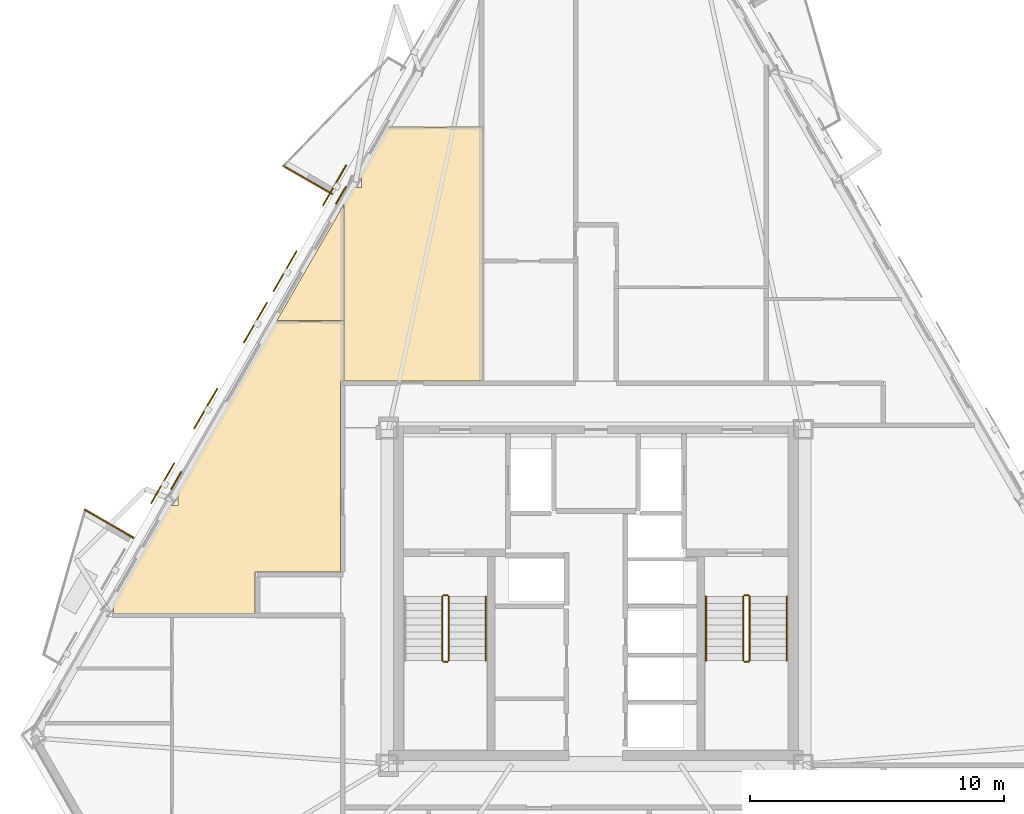
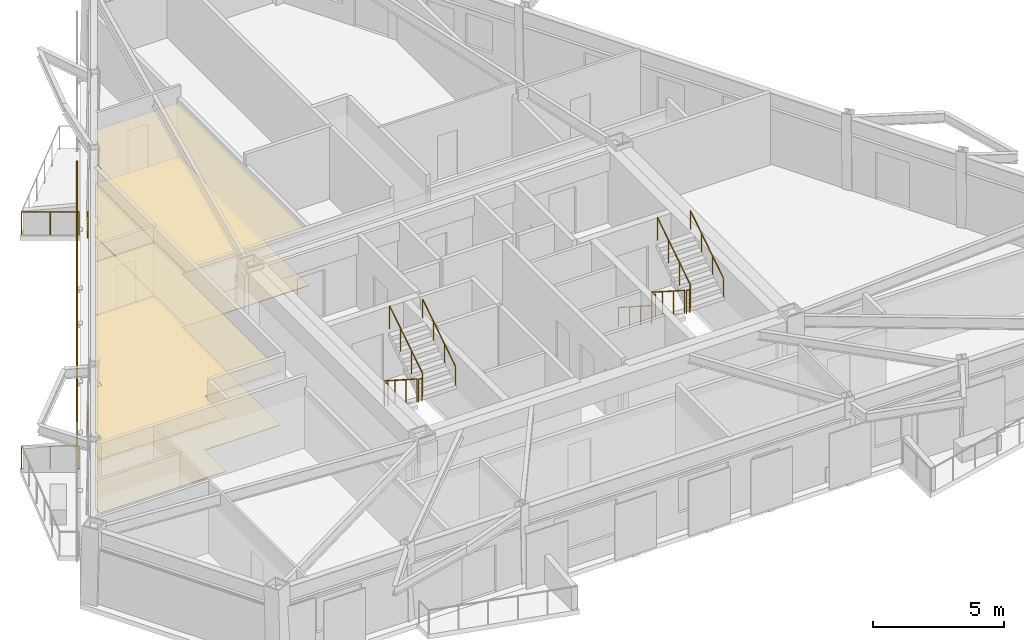
# One storey, part 8 of 9: 13 railings, 8 coverings, 5 shading devices.
"""IFC4 building model written with IfcOpenShell, lengths in metres."""

from ifc_helpers import new_model, si_unit, direction, frame, origin, origin_2d, place, context, subcontext, project, spatial, polyline, rectangle, circle, outline, extrude, material, layer, layer_set, type_object, element, save


model = new_model("IFC4")

# Units and contexts
model_context = context("Model", 3, precision=1e-05, world=origin(), true_north=direction((0.0, 1.0)))
body_context = subcontext(model_context, "Body", "Model", "MODEL_VIEW")
ifc_project = project(units=[si_unit("LENGTHUNIT", "METRE"), si_unit("AREAUNIT", "SQUARE_METRE"), si_unit("VOLUMEUNIT", "CUBIC_METRE"), si_unit("PLANEANGLEUNIT", "RADIAN"), si_unit("MASSUNIT", "GRAM", prefix="KILO")], contexts=[model_context])

# Site, building, storey
site_placement = place(None, origin())
site = spatial("IfcSite", under=ifc_project, at=site_placement, CompositionType="ELEMENT")
building_placement = place(site_placement, origin())
building = spatial("IfcBuilding", under=site, at=building_placement, Name="Oramaril Tower", CompositionType="ELEMENT")
storey_placement = place(building_placement, frame((0.0, 0.0, 178.199951171875)))
storey = spatial("IfcBuildingStorey", under=building, at=storey_placement, Name="L47", CompositionType="ELEMENT", Elevation=178.199951171875)

# Coverings
ifc_material_1 = material(Name="Mineral Fibre Acoustic Ceiling")
ifc_layer_1 = layer(ifc_material_1, 0.02001953125)
ifc_layer_set_1 = layer_set([ifc_layer_1], Name="CVT-CEIL")
covering_type_1 = type_object("IfcCoveringType", Name="CVT-CEIL", PredefinedType="CEILING", material=ifc_layer_set_1)
covering_1_placement = place(storey_placement, frame((0.0, 0.0, 2.511962890625)))
element("IfcCovering", 1, at=covering_1_placement, inside=storey, type_object=covering_type_1, Name="L47 Acoustic Suspended Ceiling 14", PredefinedType="CEILING", context=body_context, shape_type="SweptSolid", body=[
    extrude(outline(polyline([(18.538330078125, 17.293212890625), (18.518310546875, 17.293212890625), (20.75732421875, 21.17138671875), (21.062255859375, 21.17138671875), (21.062255859375, 21.656982421875), (21.037841796875, 21.656982421875), (24.938720703125, 28.413818359375), (27.592041015625, 28.413818359375), (27.592041015625, 26.070068359375), (27.469970703125, 26.070068359375), (27.468017578125, 26.06982421875), (27.466064453125, 26.069580078125), (27.464111328125, 26.069091796875), (27.46240234375, 26.068603515625), (27.460693359375, 26.067626953125), (27.458984375, 26.066650390625), (27.457275390625, 26.0654296875), (27.455810546875, 26.064208984375), (27.45458984375, 26.062744140625), (27.453369140625, 26.06103515625), (27.452392578125, 26.059326171875), (27.451416015625, 26.0576171875), (27.450927734375, 26.055908203125), (27.450439453125, 26.053955078125), (27.4501953125, 26.052001953125), (27.449951171875, 26.050048828125), (27.449951171875, 24.239990234375), (27.4501953125, 24.238037109375), (27.450439453125, 24.236083984375), (27.450927734375, 24.234130859375), (27.451416015625, 24.232421875), (27.452392578125, 24.230712890625), (27.45263671875, 24.22998046875), (27.452392578125, 24.2294921875), (27.451416015625, 24.227783203125), (27.450927734375, 24.225830078125), (27.450439453125, 24.223876953125), (27.4501953125, 24.221923828125), (27.449951171875, 24.219970703125), (27.449951171875, 18.550048828125), (24.1201171875, 18.550048828125), (24.117919921875, 18.5498046875), (24.1162109375, 18.549560546875), (24.1142578125, 18.549072265625), (24.1123046875, 18.548583984375), (24.110595703125, 18.547607421875), (24.10888671875, 18.546630859375), (24.107421875, 18.54541015625), (24.10595703125, 18.544189453125), (24.1044921875, 18.542724609375), (24.103515625, 18.541015625), (24.102294921875, 18.539306640625), (24.1015625, 18.53759765625), (24.100830078125, 18.535888671875), (24.100341796875, 18.533935546875), (24.10009765625, 18.531982421875), (24.10009765625, 18.530029296875), (24.10009765625, 16.912109375), (20.7939453125, 16.912109375), (20.7919921875, 16.911865234375), (20.7900390625, 16.91162109375), (20.7880859375, 16.9111328125), (20.786376953125, 16.910400390625), (20.78466796875, 16.90966796875), (20.783935546875, 16.9091796875), (20.783447265625, 16.90966796875), (20.78173828125, 16.910400390625), (20.77978515625, 16.9111328125), (20.77783203125, 16.91162109375), (20.77587890625, 16.911865234375), (20.77392578125, 16.912109375), (18.538330078125, 16.912109375), (18.538330078125, 17.293212890625)])), origin(), (0.0, 0.0, 1.0), 0.02001953125),
])
covering_2_placement = place(storey_placement, frame((0.0, 0.0, 2.511962890625)))
element("IfcCovering", 2, at=covering_2_placement, inside=storey, type_object=covering_type_1, Name="L47 Acoustic Suspended Ceiling 15", PredefinedType="CEILING", context=body_context, shape_type="SweptSolid", body=[
    extrude(outline(polyline([(27.592041015625, 33.00927734375), (27.592041015625, 28.433837890625), (24.950439453125, 28.433837890625), (27.592041015625, 33.00927734375)])), origin(), (0.0, 0.0, 1.0), 0.02001953125),
])
covering_3_placement = place(storey_placement, frame((0.0, 0.0, 2.511962890625)))
element("IfcCovering", 3, at=covering_3_placement, inside=storey, type_object=covering_type_1, Name="L47 Acoustic Suspended Ceiling 16", PredefinedType="CEILING", context=body_context, shape_type="SweptSolid", body=[
    extrude(outline(polyline([(28.27294921875, 33.660888671875), (28.27294921875, 34.125), (28.236083984375, 34.125), (29.343994140625, 36.0439453125), (33.0419921875, 36.0439453125), (33.0419921875, 26.070068359375), (27.612060546875, 26.070068359375), (27.612060546875, 28.413818359375), (27.61181640625, 28.415771484375), (27.611572265625, 28.417724609375), (27.611083984375, 28.419677734375), (27.610595703125, 28.42138671875), (27.609619140625, 28.423095703125), (27.609375, 28.423828125), (27.609619140625, 28.42431640625), (27.610595703125, 28.426025390625), (27.611083984375, 28.427978515625), (27.611572265625, 28.429931640625), (27.61181640625, 28.431884765625), (27.612060546875, 28.433837890625), (27.612060546875, 33.00927734375), (27.61181640625, 33.01123046875), (27.611572265625, 33.01318359375), (27.611083984375, 33.014892578125), (27.610595703125, 33.016845703125), (27.609619140625, 33.0185546875), (27.608642578125, 33.020263671875), (27.607666015625, 33.021728515625), (27.606201171875, 33.023193359375), (27.60498046875, 33.024658203125), (27.603271484375, 33.02587890625), (27.60205078125, 33.026611328125), (27.96826171875, 33.660888671875), (28.27294921875, 33.660888671875)])), origin(), (0.0, 0.0, 1.0), 0.02001953125),
])
ifc_material_2 = material(Name="Warm Cream Limestone", Category="masonry")
ifc_layer_2 = layer(ifc_material_2, 0.050048828125)
ifc_layer_set_2 = layer_set([ifc_layer_2], Name="CVT-CLD")
covering_type_2 = type_object("IfcCoveringType", Name="CVT-CLD", PredefinedType="CLADDING", material=ifc_layer_set_2)
for number, where, z_axis, x_axis, name in (
    (4, (27.4794921875, 33.3662109375, 0.0400390625), (0.0, 0.0, 1.0), (-0.5, -0.866025403784, 0.0), "L47 Warm Cream Limestone Spandrel Cladding"),
    (5, (21.000732421875, 22.14501953125, 0.0400390625), (0.0, 0.0, 1.0), (-0.5, -0.866025403784, 0.0), "L47 Warm Cream Limestone Spandrel Cladding"),
):
    element("IfcCovering", number, at=place(storey_placement, frame(where, z_axis=z_axis, x_axis=x_axis)), inside=storey, type_object=covering_type_2, Name=name, PredefinedType="CLADDING", context=body_context, shape_type="SweptSolid", body=[
        extrude(rectangle(XDim=0.800048828125, YDim=0.050048828125, at=origin_2d()), origin(), (0.0, 0.0, 1.0), 0.679931640625),
    ])
ifc_material_3 = material(Name="Honed Quartzite Stone Flooring", Category="masonry")
ifc_layer_3 = layer(ifc_material_3, 0.02490234375)
ifc_layer_set_3 = layer_set([ifc_layer_3], Name="CVT-FLR")
covering_type_3 = type_object("IfcCoveringType", Name="CVT-FLR", PredefinedType="FLOORING", material=ifc_layer_set_3)
covering_4_placement = place(storey_placement, origin())
element("IfcCovering", 6, at=covering_4_placement, inside=storey, type_object=covering_type_3, Name="L47 Honed Stone Floor Finish 14", PredefinedType="FLOORING", context=body_context, shape_type="SweptSolid", body=[
    extrude(outline(polyline([(18.538330078125, 17.293212890625), (18.518310546875, 17.293212890625), (20.75732421875, 21.17138671875), (21.062255859375, 21.17138671875), (21.062255859375, 21.656982421875), (21.037841796875, 21.656982421875), (24.938720703125, 28.413818359375), (27.592041015625, 28.413818359375), (27.592041015625, 26.070068359375), (27.469970703125, 26.070068359375), (27.468017578125, 26.06982421875), (27.466064453125, 26.069580078125), (27.464111328125, 26.069091796875), (27.46240234375, 26.068603515625), (27.460693359375, 26.067626953125), (27.458984375, 26.066650390625), (27.457275390625, 26.0654296875), (27.455810546875, 26.064208984375), (27.45458984375, 26.062744140625), (27.453369140625, 26.06103515625), (27.452392578125, 26.059326171875), (27.451416015625, 26.0576171875), (27.450927734375, 26.055908203125), (27.450439453125, 26.053955078125), (27.4501953125, 26.052001953125), (27.449951171875, 26.050048828125), (27.449951171875, 24.239990234375), (27.4501953125, 24.238037109375), (27.450439453125, 24.236083984375), (27.450927734375, 24.234130859375), (27.451416015625, 24.232421875), (27.452392578125, 24.230712890625), (27.45263671875, 24.22998046875), (27.452392578125, 24.2294921875), (27.451416015625, 24.227783203125), (27.450927734375, 24.225830078125), (27.450439453125, 24.223876953125), (27.4501953125, 24.221923828125), (27.449951171875, 24.219970703125), (27.449951171875, 18.550048828125), (24.1201171875, 18.550048828125), (24.117919921875, 18.5498046875), (24.1162109375, 18.549560546875), (24.1142578125, 18.549072265625), (24.1123046875, 18.548583984375), (24.110595703125, 18.547607421875), (24.10888671875, 18.546630859375), (24.107421875, 18.54541015625), (24.10595703125, 18.544189453125), (24.1044921875, 18.542724609375), (24.103515625, 18.541015625), (24.102294921875, 18.539306640625), (24.1015625, 18.53759765625), (24.100830078125, 18.535888671875), (24.100341796875, 18.533935546875), (24.10009765625, 18.531982421875), (24.10009765625, 18.530029296875), (24.10009765625, 16.912109375), (20.7939453125, 16.912109375), (20.7919921875, 16.911865234375), (20.7900390625, 16.91162109375), (20.7880859375, 16.9111328125), (20.786376953125, 16.910400390625), (20.78466796875, 16.90966796875), (20.783935546875, 16.9091796875), (20.783447265625, 16.90966796875), (20.78173828125, 16.910400390625), (20.77978515625, 16.9111328125), (20.77783203125, 16.91162109375), (20.77587890625, 16.911865234375), (20.77392578125, 16.912109375), (18.538330078125, 16.912109375), (18.538330078125, 17.293212890625)])), origin(), (0.0, 0.0, 1.0), 0.025146484375),
])
covering_5_placement = place(storey_placement, origin())
element("IfcCovering", 7, at=covering_5_placement, inside=storey, type_object=covering_type_3, Name="L47 Honed Stone Floor Finish 15", PredefinedType="FLOORING", context=body_context, shape_type="SweptSolid", body=[
    extrude(outline(polyline([(27.592041015625, 33.00927734375), (27.592041015625, 28.433837890625), (24.950439453125, 28.433837890625), (27.592041015625, 33.00927734375)])), origin(), (0.0, 0.0, 1.0), 0.025146484375),
])
covering_6_placement = place(storey_placement, origin())
element("IfcCovering", 8, at=covering_6_placement, inside=storey, type_object=covering_type_3, Name="L47 Honed Stone Floor Finish 16", PredefinedType="FLOORING", context=body_context, shape_type="SweptSolid", body=[
    extrude(outline(polyline([(28.27294921875, 33.660888671875), (28.27294921875, 34.125), (28.236083984375, 34.125), (29.343994140625, 36.0439453125), (33.0419921875, 36.0439453125), (33.0419921875, 26.070068359375), (27.612060546875, 26.070068359375), (27.612060546875, 28.413818359375), (27.61181640625, 28.415771484375), (27.611572265625, 28.417724609375), (27.611083984375, 28.419677734375), (27.610595703125, 28.42138671875), (27.609619140625, 28.423095703125), (27.609375, 28.423828125), (27.609619140625, 28.42431640625), (27.610595703125, 28.426025390625), (27.611083984375, 28.427978515625), (27.611572265625, 28.429931640625), (27.61181640625, 28.431884765625), (27.612060546875, 28.433837890625), (27.612060546875, 33.00927734375), (27.61181640625, 33.01123046875), (27.611572265625, 33.01318359375), (27.611083984375, 33.014892578125), (27.610595703125, 33.016845703125), (27.609619140625, 33.0185546875), (27.608642578125, 33.020263671875), (27.607666015625, 33.021728515625), (27.606201171875, 33.023193359375), (27.60498046875, 33.024658203125), (27.603271484375, 33.02587890625), (27.60205078125, 33.026611328125), (27.96826171875, 33.660888671875), (28.27294921875, 33.660888671875)])), origin(), (0.0, 0.0, 1.0), 0.025146484375),
])

# Railings
ifc_material_4 = material(Name="Stainless Steel 316L", Category="steel")
railing_type_1 = type_object("IfcRailingType", Name="RLT-GRD", PredefinedType="GUARDRAIL", material=ifc_material_4)
railing_1_placement = place(storey_placement, frame((27.118896484375, 33.421875, 0.0)))
element("IfcRailing", 9, at=railing_1_placement, inside=storey, type_object=railing_type_1, Name="L47 Balcony Guardrail L47-BAL-NW1.1", PredefinedType="GUARDRAIL", context=body_context, shape_type="SweptSolid", body=[
    extrude(circle(Radius=0.02392578125, at=origin_2d()), frame((0.0, 0.0, 1.076171875), z_axis=(-0.866020500697, 0.5000084923, 0.0), x_axis=(-0.5000084923, -0.866020500697, 0.0)), (0.0, 0.0, 1.0), 2.19189453125),
    extrude(circle(Radius=0.02099609375, at=origin_2d()), origin(), (0.0, 0.0, 1.0), 1.052001953125),
    extrude(circle(Radius=0.02099609375, at=origin_2d()), frame((-0.94921875, 0.5478515625, 0.0)), (0.0, 0.0, 1.0), 1.052001953125),
    extrude(circle(Radius=0.02099609375, at=origin_2d()), frame((-1.898193359375, 1.095947265625, 0.0)), (0.0, 0.0, 1.0), 1.052001953125),
])
railing_2_placement = place(storey_placement, frame((17.41162109375, 20.9921875, 0.0)))
element("IfcRailing", 10, at=railing_2_placement, inside=storey, type_object=railing_type_1, Name="L47 Balcony Guardrail L47-BAL-NW2.3", PredefinedType="GUARDRAIL", context=body_context, shape_type="SweptSolid", body=[
    extrude(circle(Radius=0.02392578125, at=origin_2d()), frame((0.0, 0.0, 1.076171875), z_axis=(0.865972267571, -0.50009202333, 0.0), x_axis=(0.50009202333, 0.865972267571, 0.0)), (0.0, 0.0, 1.0), 2.19189453125),
    extrude(circle(Radius=0.02099609375, at=origin_2d()), origin(), (0.0, 0.0, 1.0), 1.052001953125),
    extrude(circle(Radius=0.02099609375, at=origin_2d()), frame((0.94921875, -0.548095703125, 0.0)), (0.0, 0.0, 1.0), 1.052001953125),
    extrude(circle(Radius=0.02099609375, at=origin_2d()), frame((1.898193359375, -1.09619140625, 0.0)), (0.0, 0.0, 1.0), 1.052001953125),
])
railing_3_placement = place(storey_placement, frame((31.4599609375, 17.590087890625, 0.179931640625)))
element("IfcRailing", 11, at=railing_3_placement, inside=storey, type_object=railing_type_1, Name="L47 ST-1 stair guard 1", PredefinedType="GUARDRAIL", context=body_context, shape_type="SweptSolid", body=[
    extrude(circle(Radius=0.02392578125, at=origin_2d()), frame((0.0, 0.0, 1.076171875), z_axis=(0.0, -0.841162588446, 0.540782303519), x_axis=(1.0, 0.0, 0.0)), (0.0, 0.0, 1.0), 2.995849609375),
    extrude(circle(Radius=0.02099609375, at=origin_2d()), origin(), (0.0, 0.0, 1.0), 1.052001953125),
    extrude(circle(Radius=0.02099609375, at=origin_2d()), frame((0.0, -0.840087890625, 0.5400390625)), (0.0, 0.0, 1.0), 1.052001953125),
    extrude(circle(Radius=0.02099609375, at=origin_2d()), frame((0.0, -1.679931640625, 1.080078125)), (0.0, 0.0, 1.0), 1.052001953125),
    extrude(circle(Radius=0.02099609375, at=origin_2d()), frame((0.0, -2.52001953125, 1.6201171875)), (0.0, 0.0, 1.0), 1.052001953125),
])
railing_4_placement = place(storey_placement, frame((31.510009765625, 15.02001953125, 1.800048828125)))
element("IfcRailing", 12, at=railing_4_placement, inside=storey, type_object=railing_type_1, Name="L47 ST-1 stair guard 2", PredefinedType="GUARDRAIL", context=body_context, shape_type="SweptSolid", body=[
    extrude(circle(Radius=0.02392578125, at=origin_2d()), frame((0.0, 0.0, 1.076171875), z_axis=(1.0, 0.0, 0.0), x_axis=(0.0, 1.0, 0.0)), (0.0, 0.0, 1.0), 0.14990234375),
    extrude(circle(Radius=0.02099609375, at=origin_2d()), origin(), (0.0, 0.0, 1.0), 1.052001953125),
    extrude(circle(Radius=0.02099609375, at=origin_2d()), frame((0.14990234375, 0.0, 0.0)), (0.0, 0.0, 1.0), 1.052001953125),
])
railing_5_placement = place(storey_placement, frame((31.7099609375, 15.070068359375, 1.97998046875)))
element("IfcRailing", 13, at=railing_5_placement, inside=storey, type_object=railing_type_1, Name="L47 ST-1 stair guard 3", PredefinedType="GUARDRAIL", context=body_context, shape_type="SweptSolid", body=[
    extrude(circle(Radius=0.02392578125, at=origin_2d()), frame((0.0, 0.0, 1.076171875), z_axis=(0.0, 0.841162588446, 0.540782303519), x_axis=(-1.0, 0.0, 0.0)), (0.0, 0.0, 1.0), 2.995849609375),
    extrude(circle(Radius=0.02099609375, at=origin_2d()), origin(), (0.0, 0.0, 1.0), 1.052001953125),
    extrude(circle(Radius=0.02099609375, at=origin_2d()), frame((0.0, 0.840087890625, 0.5400390625)), (0.0, 0.0, 1.0), 1.052001953125),
    extrude(circle(Radius=0.02099609375, at=origin_2d()), frame((0.0, 1.679931640625, 1.080078125)), (0.0, 0.0, 1.0), 1.052001953125),
    extrude(circle(Radius=0.02099609375, at=origin_2d()), frame((0.0, 2.52001953125, 1.6201171875)), (0.0, 0.0, 1.0), 1.052001953125),
])
railing_6_placement = place(storey_placement, frame((31.510009765625, 17.639892578125, 0.0)))
element("IfcRailing", 14, at=railing_6_placement, inside=storey, type_object=railing_type_1, Name="L47 ST-1 stair guard 4", PredefinedType="GUARDRAIL", context=body_context, shape_type="SweptSolid", body=[
    extrude(circle(Radius=0.02392578125, at=origin_2d()), frame((0.0, 0.0, 1.076171875), z_axis=(1.0, 0.0, 0.0), x_axis=(0.0, 1.0, 0.0)), (0.0, 0.0, 1.0), 0.14990234375),
    extrude(circle(Radius=0.02099609375, at=origin_2d()), origin(), (0.0, 0.0, 1.0), 1.052001953125),
    extrude(circle(Radius=0.02099609375, at=origin_2d()), frame((0.14990234375, 0.0, 0.0)), (0.0, 0.0, 1.0), 1.052001953125),
])
railing_7_placement = place(storey_placement, frame((43.2900390625, 17.590087890625, 0.179931640625)))
element("IfcRailing", 15, at=railing_7_placement, inside=storey, type_object=railing_type_1, Name="L47 ST-2 stair guard 1", PredefinedType="GUARDRAIL", context=body_context, shape_type="SweptSolid", body=[
    extrude(circle(Radius=0.02392578125, at=origin_2d()), frame((0.0, 0.0, 1.076171875), z_axis=(0.0, -0.841162588446, 0.540782303519), x_axis=(1.0, 0.0, 0.0)), (0.0, 0.0, 1.0), 2.995849609375),
    extrude(circle(Radius=0.02099609375, at=origin_2d()), origin(), (0.0, 0.0, 1.0), 1.052001953125),
    extrude(circle(Radius=0.02099609375, at=origin_2d()), frame((0.0, -0.840087890625, 0.5400390625)), (0.0, 0.0, 1.0), 1.052001953125),
    extrude(circle(Radius=0.02099609375, at=origin_2d()), frame((0.0, -1.679931640625, 1.080078125)), (0.0, 0.0, 1.0), 1.052001953125),
    extrude(circle(Radius=0.02099609375, at=origin_2d()), frame((0.0, -2.52001953125, 1.6201171875)), (0.0, 0.0, 1.0), 1.052001953125),
])
railing_8_placement = place(storey_placement, frame((43.340087890625, 15.02001953125, 1.800048828125)))
element("IfcRailing", 16, at=railing_8_placement, inside=storey, type_object=railing_type_1, Name="L47 ST-2 stair guard 2", PredefinedType="GUARDRAIL", context=body_context, shape_type="SweptSolid", body=[
    extrude(circle(Radius=0.02392578125, at=origin_2d()), frame((0.0, 0.0, 1.076171875), z_axis=(1.0, 0.0, 0.0), x_axis=(0.0, 1.0, 0.0)), (0.0, 0.0, 1.0), 0.14990234375),
    extrude(circle(Radius=0.02099609375, at=origin_2d()), origin(), (0.0, 0.0, 1.0), 1.052001953125),
    extrude(circle(Radius=0.02099609375, at=origin_2d()), frame((0.14990234375, 0.0, 0.0)), (0.0, 0.0, 1.0), 1.052001953125),
])
railing_9_placement = place(storey_placement, frame((43.5400390625, 15.070068359375, 1.97998046875)))
element("IfcRailing", 17, at=railing_9_placement, inside=storey, type_object=railing_type_1, Name="L47 ST-2 stair guard 3", PredefinedType="GUARDRAIL", context=body_context, shape_type="SweptSolid", body=[
    extrude(circle(Radius=0.02392578125, at=origin_2d()), frame((0.0, 0.0, 1.076171875), z_axis=(0.0, 0.841162588446, 0.540782303519), x_axis=(-1.0, 0.0, 0.0)), (0.0, 0.0, 1.0), 2.995849609375),
    extrude(circle(Radius=0.02099609375, at=origin_2d()), origin(), (0.0, 0.0, 1.0), 1.052001953125),
    extrude(circle(Radius=0.02099609375, at=origin_2d()), frame((0.0, 0.840087890625, 0.5400390625)), (0.0, 0.0, 1.0), 1.052001953125),
    extrude(circle(Radius=0.02099609375, at=origin_2d()), frame((0.0, 1.679931640625, 1.080078125)), (0.0, 0.0, 1.0), 1.052001953125),
    extrude(circle(Radius=0.02099609375, at=origin_2d()), frame((0.0, 2.52001953125, 1.6201171875)), (0.0, 0.0, 1.0), 1.052001953125),
])
railing_10_placement = place(storey_placement, frame((43.340087890625, 17.639892578125, 0.0)))
element("IfcRailing", 18, at=railing_10_placement, inside=storey, type_object=railing_type_1, Name="L47 ST-2 stair guard 4", PredefinedType="GUARDRAIL", context=body_context, shape_type="SweptSolid", body=[
    extrude(circle(Radius=0.02392578125, at=origin_2d()), frame((0.0, 0.0, 1.076171875), z_axis=(1.0, 0.0, 0.0), x_axis=(0.0, 1.0, 0.0)), (0.0, 0.0, 1.0), 0.14990234375),
    extrude(circle(Radius=0.02099609375, at=origin_2d()), origin(), (0.0, 0.0, 1.0), 1.052001953125),
    extrude(circle(Radius=0.02099609375, at=origin_2d()), frame((0.14990234375, 0.0, 0.0)), (0.0, 0.0, 1.0), 1.052001953125),
])
ifc_material_5 = material(Name="Stainless Steel 316L", Category="steel")
railing_type_2 = type_object("IfcRailingType", Name="RLT-HND", PredefinedType="HANDRAIL", material=ifc_material_5)
railing_11_placement = place(storey_placement, frame((33.169921875, 15.070068359375, 1.97998046875)))
element("IfcRailing", 19, at=railing_11_placement, inside=storey, type_object=railing_type_2, Name="L47 ST-1 stair handrail 2", PredefinedType="HANDRAIL", context=body_context, shape_type="SweptSolid", body=[
    extrude(circle(Radius=0.02392578125, at=origin_2d()), frame((0.0, 0.0, 0.8759765625), z_axis=(0.0, 0.841162588446, 0.540782303519), x_axis=(-1.0, 0.0, 0.0)), (0.0, 0.0, 1.0), 2.995849609375),
    extrude(circle(Radius=0.02099609375, at=origin_2d()), origin(), (0.0, 0.0, 1.0), 0.851806640625),
    extrude(circle(Radius=0.02099609375, at=origin_2d()), frame((0.0, 0.840087890625, 0.5400390625)), (0.0, 0.0, 1.0), 0.851806640625),
    extrude(circle(Radius=0.02099609375, at=origin_2d()), frame((0.0, 1.679931640625, 1.080078125)), (0.0, 0.0, 1.0), 0.851806640625),
    extrude(circle(Radius=0.02099609375, at=origin_2d()), frame((0.0, 2.52001953125, 1.6201171875)), (0.0, 0.0, 1.0), 0.851806640625),
])
railing_12_placement = place(storey_placement, frame((41.830078125, 17.590087890625, 0.179931640625)))
element("IfcRailing", 20, at=railing_12_placement, inside=storey, type_object=railing_type_2, Name="L47 ST-2 stair handrail 1", PredefinedType="HANDRAIL", context=body_context, shape_type="SweptSolid", body=[
    extrude(circle(Radius=0.02392578125, at=origin_2d()), frame((0.0, 0.0, 0.8759765625), z_axis=(0.0, -0.841162588446, 0.540782303519), x_axis=(1.0, 0.0, 0.0)), (0.0, 0.0, 1.0), 2.995849609375),
    extrude(circle(Radius=0.02099609375, at=origin_2d()), origin(), (0.0, 0.0, 1.0), 0.851806640625),
    extrude(circle(Radius=0.02099609375, at=origin_2d()), frame((0.0, -0.840087890625, 0.5400390625)), (0.0, 0.0, 1.0), 0.851806640625),
    extrude(circle(Radius=0.02099609375, at=origin_2d()), frame((0.0, -1.679931640625, 1.080078125)), (0.0, 0.0, 1.0), 0.851806640625),
    extrude(circle(Radius=0.02099609375, at=origin_2d()), frame((0.0, -2.52001953125, 1.6201171875)), (0.0, 0.0, 1.0), 0.851806640625),
])
railing_13_placement = place(storey_placement, frame((45.0, 15.070068359375, 1.97998046875)))
element("IfcRailing", 21, at=railing_13_placement, inside=storey, type_object=railing_type_2, Name="L47 ST-2 stair handrail 2", PredefinedType="HANDRAIL", context=body_context, shape_type="SweptSolid", body=[
    extrude(circle(Radius=0.02392578125, at=origin_2d()), frame((0.0, 0.0, 0.8759765625), z_axis=(0.0, 0.841162588446, 0.540782303519), x_axis=(-1.0, 0.0, 0.0)), (0.0, 0.0, 1.0), 2.995849609375),
    extrude(circle(Radius=0.02099609375, at=origin_2d()), origin(), (0.0, 0.0, 1.0), 0.851806640625),
    extrude(circle(Radius=0.02099609375, at=origin_2d()), frame((0.0, 0.840087890625, 0.5400390625)), (0.0, 0.0, 1.0), 0.851806640625),
    extrude(circle(Radius=0.02099609375, at=origin_2d()), frame((0.0, 1.679931640625, 1.080078125)), (0.0, 0.0, 1.0), 0.851806640625),
    extrude(circle(Radius=0.02099609375, at=origin_2d()), frame((0.0, 2.52001953125, 1.6201171875)), (0.0, 0.0, 1.0), 0.851806640625),
])

# Shading devices
for number, where, z_axis, x_axis, name in (
    (22, (24.11083984375, 28.355712890625, -0.02001953125), (0.0, 0.0, 1.0), (-0.5, -0.866025403784, 0.0), "L47 Perforated Ceramic Solar Screen"),
    (23, (22.160888671875, 24.978271484375, -0.02001953125), (0.0, 0.0, 1.0), (-0.5, -0.866025403784, 0.0), "L47 Perforated Ceramic Solar Screen"),
    (24, (20.467041015625, 22.04443359375, -0.02001953125), (0.0, 0.0, 1.0), (-0.5, -0.866025403784, 0.0), "L47 Perforated Ceramic Solar Screen"),
    (25, (27.227783203125, 33.75439453125, -0.02001953125), (0.0, 0.0, 1.0), (-0.5, -0.866025403784, 0.0), "L47 Perforated Ceramic Solar Screen"),
    (26, (25.277587890625, 30.376708984375, -0.02001953125), (0.0, 0.0, 1.0), (-0.5, -0.866025403784, 0.0), "L47 Perforated Ceramic Solar Screen"),
):
    element("IfcShadingDevice", number, at=place(storey_placement, frame(where, z_axis=z_axis, x_axis=x_axis)), inside=storey, Name=name, ObjectType="SCREEN", PredefinedType="USERDEFINED", context=body_context, shape_type="SweptSolid", body=[
        extrude(rectangle(XDim=1.8330078125, YDim=0.050048828125, at=origin_2d()), origin(), (0.0, 0.0, 1.0), 2.60009765625),
    ])

save(model, "model.ifc")
